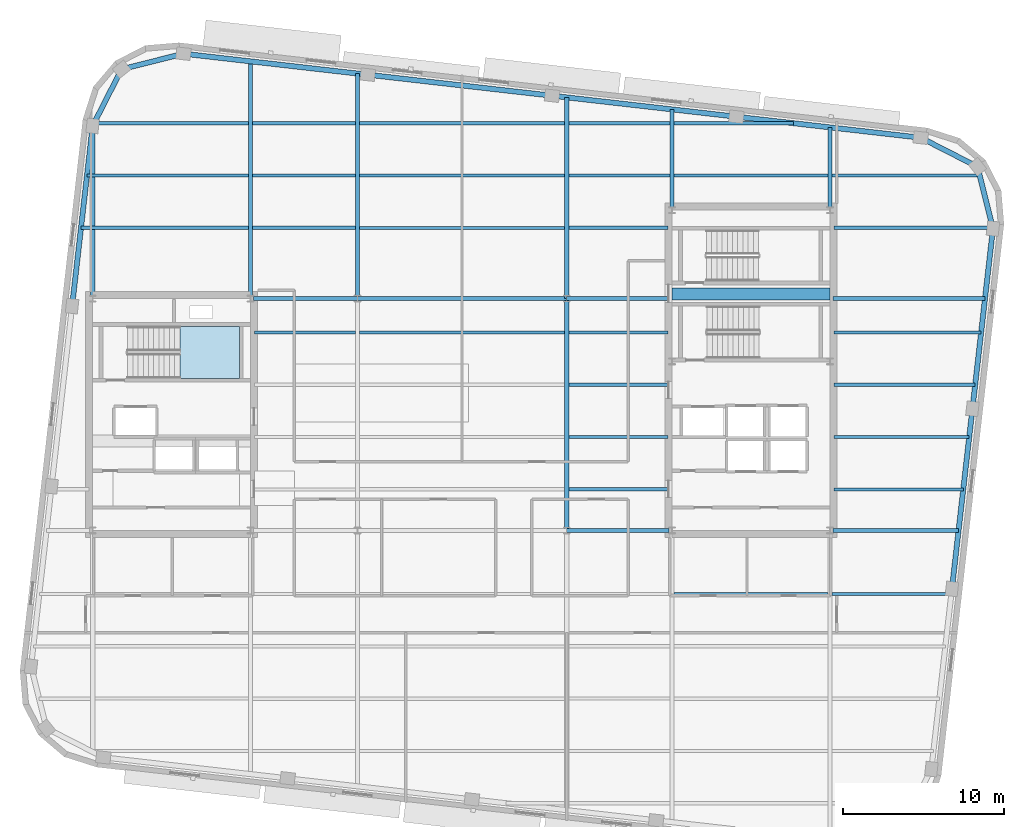
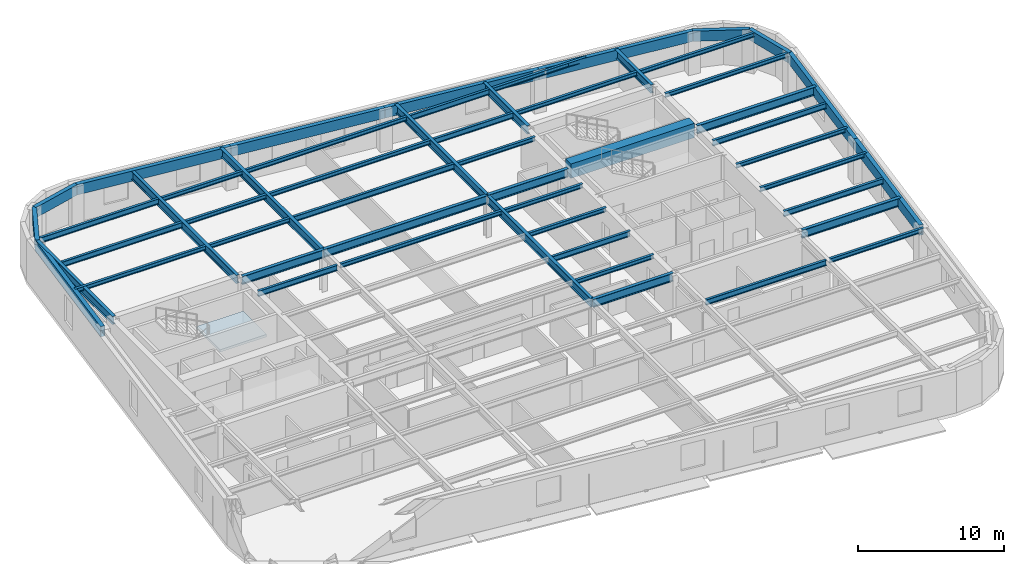
# One storey, part 4 of 13: 53 beams, 1 slab, 1 element without a shape of its own.
"""IFC4 building model written with IfcOpenShell, lengths in metres."""

from ifc_helpers import new_model, si_unit, direction, frame, origin, origin_2d, place, context, subcontext, project, spatial, polyline, rectangle, hollow_rectangle, i_section, outline, extrude, material, layer, layer_set, material_profile, profile_set, type_object, element, aggregate, save


model = new_model("IFC4")

# Units and contexts
model_context = context("Model", 3, precision=1e-05, world=origin(), true_north=direction((0.0, 1.0)))
body_context = subcontext(model_context, "Body", "Model", "MODEL_VIEW")
ifc_project = project(units=[si_unit("LENGTHUNIT", "METRE"), si_unit("AREAUNIT", "SQUARE_METRE"), si_unit("VOLUMEUNIT", "CUBIC_METRE"), si_unit("PLANEANGLEUNIT", "RADIAN"), si_unit("MASSUNIT", "GRAM", prefix="KILO")], contexts=[model_context])

# Site, building, storey
site_placement = place(None, origin())
site = spatial("IfcSite", under=ifc_project, at=site_placement, CompositionType="ELEMENT")
building_placement = place(site_placement, origin())
building = spatial("IfcBuilding", under=site, at=building_placement, Name="Kolvaren Arena Tower", CompositionType="ELEMENT")
storey_placement = place(building_placement, frame((0.0, 0.0, 262.199951171875)))
storey = spatial("IfcBuildingStorey", under=building, at=storey_placement, Name="L64", CompositionType="ELEMENT", Elevation=262.199951171875)

# Beams
ifc_material_1 = material(Name="Steel CSA G40.21 350W", Category="steel")
ifc_material_profile_1 = material_profile(ifc_material_1, i_section(OverallWidth=0.193115234375, OverallDepth=0.462890625, WebThickness=0.0107421875, FlangeThickness=0.0205078125, FilletRadius=0.012939453125, at=origin_2d()), Name="W460x113")
ifc_profile_set_1 = profile_set([ifc_material_profile_1], Name="Steel CSA G40.21 350W")
beam_type_1 = type_object("IfcBeamType", Name="BEAM-F2", PredefinedType="BEAM", material=ifc_profile_set_1)
beam_1_placement = place(storey_placement, frame((50.677490234375, 15.5, 3.24853515625), z_axis=(1.0, 0.0, 0.0), x_axis=(0.0, 1.0, 0.0)))
element("IfcBeam", 1, at=beam_1_placement, inside=storey, type_object=beam_type_1, Name="Composite Floor Beam (L64)", PredefinedType="BEAM", context=body_context, shape_type="SweptSolid", body=[
    extrude(i_section(OverallWidth=0.193115234375, OverallDepth=0.462890625, WebThickness=0.0107421875, FlangeThickness=0.0205078125, FilletRadius=0.012939453125, at=origin_2d()), origin(), (0.0, 0.0, 1.0), 9.544921875),
])
beam_2_placement = place(storey_placement, frame((60.594970703125, 22.0, 3.24853515625), z_axis=(1.0, 0.0, 0.0), x_axis=(0.0, 1.0, 0.0)))
element("IfcBeam", 2, at=beam_2_placement, inside=storey, type_object=beam_type_1, Name="Composite Floor Beam (L64)", PredefinedType="BEAM", context=body_context, shape_type="SweptSolid", body=[
    extrude(i_section(OverallWidth=0.193115234375, OverallDepth=0.462890625, WebThickness=0.0107421875, FlangeThickness=0.0205078125, FilletRadius=0.012939453125, at=origin_2d()), origin(), (0.0, 0.0, 1.0), 8.041015625),
])
beam_3_placement = place(storey_placement, frame((44.12744140625, 25.25, 3.24853515625), z_axis=(1.0, 0.0, 0.0), x_axis=(0.0, 1.0, 0.0)))
element("IfcBeam", 3, at=beam_3_placement, inside=storey, type_object=beam_type_1, Name="Composite Floor Beam (L64)", PredefinedType="BEAM", context=body_context, shape_type="SweptSolid", body=[
    extrude(i_section(OverallWidth=0.193115234375, OverallDepth=0.462890625, WebThickness=0.0107421875, FlangeThickness=0.0205078125, FilletRadius=0.012939453125, at=origin_2d()), origin(), (0.0, 0.0, 1.0), 6.177490234375),
])
beam_4_placement = place(storey_placement, frame((24.594970703125, 31.75, 3.24853515625), z_axis=(1.0, 0.0, 0.0), x_axis=(0.0, 1.0, 0.0)))
element("IfcBeam", 4, at=beam_4_placement, inside=storey, type_object=beam_type_1, Name="Composite Floor Beam (L64)", PredefinedType="BEAM", context=body_context, shape_type="SweptSolid", body=[
    extrude(i_section(OverallWidth=0.193115234375, OverallDepth=0.462890625, WebThickness=0.0107421875, FlangeThickness=0.0205078125, FilletRadius=0.012939453125, at=origin_2d()), origin(), (0.0, 0.0, 1.0), 6.277587890625),
])
beam_5_placement = place(storey_placement, frame((60.594970703125, 31.75, 3.24853515625), z_axis=(1.0, 0.0, 0.0), x_axis=(0.0, 1.0, 0.0)))
element("IfcBeam", 5, at=beam_5_placement, inside=storey, type_object=beam_type_1, Name="Composite Floor Beam (L64)", PredefinedType="BEAM", context=body_context, shape_type="SweptSolid", body=[
    extrude(i_section(OverallWidth=0.193115234375, OverallDepth=0.462890625, WebThickness=0.0107421875, FlangeThickness=0.0205078125, FilletRadius=0.012939453125, at=origin_2d()), origin(), (0.0, 0.0, 1.0), 9.15185546875),
])
beam_6_placement = place(storey_placement, frame((31.12744140625, 38.25, 3.24853515625), z_axis=(1.0, 0.0, 0.0), x_axis=(0.0, 1.0, 0.0)))
element("IfcBeam", 6, at=beam_6_placement, inside=storey, type_object=beam_type_1, Name="Composite Floor Beam (L64)", PredefinedType="BEAM", context=body_context, shape_type="SweptSolid", body=[
    extrude(i_section(OverallWidth=0.193115234375, OverallDepth=0.462890625, WebThickness=0.0107421875, FlangeThickness=0.0205078125, FilletRadius=0.012939453125, at=origin_2d()), origin(), (0.0, 0.0, 1.0), 12.7451171875),
])
beam_7_placement = place(storey_placement, frame((14.193359375, 41.5, 3.24853515625), z_axis=(1.0, 0.0, 0.0), x_axis=(0.0, 1.0, 0.0)))
element("IfcBeam", 7, at=beam_7_placement, inside=storey, type_object=beam_type_1, Name="Composite Floor Beam (L64)", PredefinedType="BEAM", context=body_context, shape_type="SweptSolid", body=[
    extrude(i_section(OverallWidth=0.193115234375, OverallDepth=0.462890625, WebThickness=0.0107421875, FlangeThickness=0.0205078125, FilletRadius=0.012939453125, at=origin_2d()), origin(), (0.0, 0.0, 1.0), 10.029052734375),
])
beam_8_placement = place(storey_placement, frame((44.12744140625, 41.5, 3.24853515625), z_axis=(1.0, 0.0, 0.0), x_axis=(0.0, 1.0, 0.0)))
element("IfcBeam", 8, at=beam_8_placement, inside=storey, type_object=beam_type_1, Name="Composite Floor Beam (L64)", PredefinedType="BEAM", context=body_context, shape_type="SweptSolid", body=[
    extrude(i_section(OverallWidth=0.193115234375, OverallDepth=0.462890625, WebThickness=0.0107421875, FlangeThickness=0.0205078125, FilletRadius=0.012939453125, at=origin_2d()), origin(), (0.0, 0.0, 1.0), 6.295166015625),
])
beam_9_placement = place(storey_placement, frame((14.632080078125, 44.75, 3.24853515625), z_axis=(1.0, 0.0, 0.0), x_axis=(0.0, 1.0, 0.0)))
element("IfcBeam", 9, at=beam_9_placement, inside=storey, type_object=beam_type_1, Name="Composite Floor Beam (L64)", PredefinedType="BEAM", context=body_context, shape_type="SweptSolid", body=[
    extrude(i_section(OverallWidth=0.193115234375, OverallDepth=0.462890625, WebThickness=0.0107421875, FlangeThickness=0.0205078125, FilletRadius=0.012939453125, at=origin_2d()), origin(), (0.0, 0.0, 1.0), 9.59033203125),
])
beam_10_placement = place(storey_placement, frame((44.12744140625, 44.75, 3.24853515625), z_axis=(1.0, 0.0, 0.0), x_axis=(0.0, 1.0, 0.0)))
element("IfcBeam", 10, at=beam_10_placement, inside=storey, type_object=beam_type_1, Name="Composite Floor Beam (L64)", PredefinedType="BEAM", context=body_context, shape_type="SweptSolid", body=[
    extrude(i_section(OverallWidth=0.193115234375, OverallDepth=0.462890625, WebThickness=0.0107421875, FlangeThickness=0.0205078125, FilletRadius=0.012939453125, at=origin_2d()), origin(), (0.0, 0.0, 1.0), 6.295166015625),
])
ifc_material_2 = material(Name="Concrete 60 MPa", Category="concrete")
ifc_material_profile_2 = material_profile(ifc_material_2, rectangle(XDim=0.75, YDim=1.199951171875, at=origin_2d()), Name="RC-750x1200")
ifc_profile_set_2 = profile_set([ifc_material_profile_2], Name="Concrete 60 MPa")
beam_type_2 = type_object("IfcBeamType", Name="CB-CORE-2", PredefinedType="BEAM", material=ifc_profile_set_2)
beam_11_placement = place(storey_placement, frame((50.550048828125, 34.14990234375, 3.150146484375), z_axis=(1.0, 0.0, 0.0), x_axis=(0.0, 1.0, 0.0)))
element("IfcBeam", 11, at=beam_11_placement, inside=storey, type_object=beam_type_2, Name="East Core Coupling Beam (L64)", PredefinedType="BEAM", context=body_context, shape_type="SweptSolid", body=[
    extrude(rectangle(XDim=0.75, YDim=1.199951171875, at=origin_2d()), origin(), (0.0, 0.0, 1.0), 9.800048828125),
])
ifc_material_profile_3 = material_profile(ifc_material_1, i_section(OverallWidth=0.2548828125, OverallDepth=0.695068359375, WebThickness=0.01708984375, FlangeThickness=0.02978515625, FilletRadius=0.01611328125, at=origin_2d()), Name="W690x217")
ifc_profile_set_3 = profile_set([ifc_material_profile_3], Name="Steel CSA G40.21 350W")
beam_type_3 = type_object("IfcBeamType", Name="GIRD-T2", PredefinedType="BEAM", material=ifc_profile_set_3)
beam_12_placement = place(storey_placement, frame((44.0, 19.449951171875, 3.132568359375), z_axis=(1.0, 0.0, 0.0), x_axis=(0.0, 1.0, 0.0)))
element("IfcBeam", 12, at=beam_12_placement, inside=storey, type_object=beam_type_3, Name="Primary Floor Girder (L64)", PredefinedType="BEAM", context=body_context, shape_type="SweptSolid", body=[
    extrude(i_section(OverallWidth=0.2548828125, OverallDepth=0.695068359375, WebThickness=0.01708984375, FlangeThickness=0.02978515625, FilletRadius=0.01611328125, at=origin_2d()), origin(), (0.0, 0.0, 1.0), 6.344970703125),
])
beam_13_placement = place(storey_placement, frame((60.554931640625, 19.449951171875, 3.132568359375), z_axis=(1.0, 0.0, 0.0), x_axis=(0.0, 1.0, 0.0)))
element("IfcBeam", 13, at=beam_13_placement, inside=storey, type_object=beam_type_3, Name="Primary Floor Girder (L64)", PredefinedType="BEAM", context=body_context, shape_type="SweptSolid", body=[
    extrude(i_section(OverallWidth=0.2548828125, OverallDepth=0.695068359375, WebThickness=0.01708984375, FlangeThickness=0.02978515625, FilletRadius=0.01611328125, at=origin_2d()), origin(), (0.0, 0.0, 1.0), 7.790283203125),
])
beam_14_placement = place(storey_placement, frame((24.554931640625, 33.85009765625, 3.132568359375), z_axis=(1.0, 0.0, 0.0), x_axis=(0.0, 1.0, 0.0)))
element("IfcBeam", 14, at=beam_14_placement, inside=storey, type_object=beam_type_3, Name="Primary Floor Girder (L64)", PredefinedType="BEAM", context=body_context, shape_type="SweptSolid", body=[
    extrude(i_section(OverallWidth=0.2548828125, OverallDepth=0.695068359375, WebThickness=0.01708984375, FlangeThickness=0.02978515625, FilletRadius=0.01611328125, at=origin_2d()), origin(), (0.0, 0.0, 1.0), 6.445068359375),
])
beam_15_placement = place(storey_placement, frame((31.0, 33.85009765625, 3.132568359375), z_axis=(1.0, 0.0, 0.0), x_axis=(0.0, 1.0, 0.0)))
element("IfcBeam", 15, at=beam_15_placement, inside=storey, type_object=beam_type_3, Name="Primary Floor Girder (L64)", PredefinedType="BEAM", context=body_context, shape_type="SweptSolid", body=[
    extrude(i_section(OverallWidth=0.2548828125, OverallDepth=0.695068359375, WebThickness=0.01708984375, FlangeThickness=0.02978515625, FilletRadius=0.01611328125, at=origin_2d()), origin(), (0.0, 0.0, 1.0), 13.0),
])
beam_16_placement = place(storey_placement, frame((44.0, 33.85009765625, 3.132568359375), z_axis=(1.0, 0.0, 0.0), x_axis=(0.0, 1.0, 0.0)))
element("IfcBeam", 16, at=beam_16_placement, inside=storey, type_object=beam_type_3, Name="Primary Floor Girder (L64)", PredefinedType="BEAM", context=body_context, shape_type="SweptSolid", body=[
    extrude(i_section(OverallWidth=0.2548828125, OverallDepth=0.695068359375, WebThickness=0.01708984375, FlangeThickness=0.02978515625, FilletRadius=0.01611328125, at=origin_2d()), origin(), (0.0, 0.0, 1.0), 6.344970703125),
])
beam_17_placement = place(storey_placement, frame((60.554931640625, 33.85009765625, 3.132568359375), z_axis=(1.0, 0.0, 0.0), x_axis=(0.0, 1.0, 0.0)))
element("IfcBeam", 17, at=beam_17_placement, inside=storey, type_object=beam_type_3, Name="Primary Floor Girder (L64)", PredefinedType="BEAM", context=body_context, shape_type="SweptSolid", body=[
    extrude(i_section(OverallWidth=0.2548828125, OverallDepth=0.695068359375, WebThickness=0.01708984375, FlangeThickness=0.02978515625, FilletRadius=0.01611328125, at=origin_2d()), origin(), (0.0, 0.0, 1.0), 9.43115234375),
])
beam_18_placement = place(storey_placement, frame((14.550048828125, 34.054931640625, 3.132568359375), z_axis=(0.0, 1.0, 0.0), x_axis=(-1.0, 0.0, 0.0)))
element("IfcBeam", 18, at=beam_18_placement, inside=storey, type_object=beam_type_3, Name="Primary Floor Girder (L64)", PredefinedType="BEAM", context=body_context, shape_type="SweptSolid", body=[
    extrude(i_section(OverallWidth=0.2548828125, OverallDepth=0.695068359375, WebThickness=0.01708984375, FlangeThickness=0.02978515625, FilletRadius=0.01611328125, at=origin_2d()), origin(), (0.0, 0.0, 1.0), 10.53466796875),
])
beam_19_placement = place(storey_placement, frame((24.35009765625, 34.054931640625, 3.132568359375), z_axis=(0.0, 1.0, 0.0), x_axis=(-1.0, 0.0, 0.0)))
element("IfcBeam", 19, at=beam_19_placement, inside=storey, type_object=beam_type_3, Name="Primary Floor Girder (L64)", PredefinedType="BEAM", context=body_context, shape_type="SweptSolid", body=[
    extrude(i_section(OverallWidth=0.2548828125, OverallDepth=0.695068359375, WebThickness=0.01708984375, FlangeThickness=0.02978515625, FilletRadius=0.01611328125, at=origin_2d()), origin(), (0.0, 0.0, 1.0), 14.538818359375),
])
beam_20_placement = place(storey_placement, frame((31.0, 33.85009765625, 3.132568359375), z_axis=(0.0, 1.0, 0.0), x_axis=(-1.0, 0.0, 0.0)))
element("IfcBeam", 20, at=beam_20_placement, inside=storey, type_object=beam_type_3, Name="Primary Floor Girder (L64)", PredefinedType="BEAM", context=body_context, shape_type="SweptSolid", body=[
    extrude(i_section(OverallWidth=0.2548828125, OverallDepth=0.695068359375, WebThickness=0.01708984375, FlangeThickness=0.02978515625, FilletRadius=0.01611328125, at=origin_2d()), origin(), (0.0, 0.0, 1.0), 13.986083984375),
])
beam_21_placement = place(storey_placement, frame((44.0, 19.449951171875, 3.132568359375), z_axis=(0.0, 1.0, 0.0), x_axis=(-1.0, 0.0, 0.0)))
element("IfcBeam", 21, at=beam_21_placement, inside=storey, type_object=beam_type_3, Name="Primary Floor Girder (L64)", PredefinedType="BEAM", context=body_context, shape_type="SweptSolid", body=[
    extrude(i_section(OverallWidth=0.2548828125, OverallDepth=0.695068359375, WebThickness=0.01708984375, FlangeThickness=0.02978515625, FilletRadius=0.01611328125, at=origin_2d()), origin(), (0.0, 0.0, 1.0), 14.400146484375),
])
beam_22_placement = place(storey_placement, frame((44.0, 33.85009765625, 3.132568359375), z_axis=(0.0, 1.0, 0.0), x_axis=(-1.0, 0.0, 0.0)))
element("IfcBeam", 22, at=beam_22_placement, inside=storey, type_object=beam_type_3, Name="Primary Floor Girder (L64)", PredefinedType="BEAM", context=body_context, shape_type="SweptSolid", body=[
    extrude(i_section(OverallWidth=0.2548828125, OverallDepth=0.695068359375, WebThickness=0.01708984375, FlangeThickness=0.02978515625, FilletRadius=0.01611328125, at=origin_2d()), origin(), (0.0, 0.0, 1.0), 12.5048828125),
])
beam_23_placement = place(storey_placement, frame((50.550048828125, 39.554931640625, 3.132568359375), z_axis=(0.0, 1.0, 0.0), x_axis=(-1.0, 0.0, 0.0)))
element("IfcBeam", 23, at=beam_23_placement, inside=storey, type_object=beam_type_3, Name="Primary Floor Girder (L64)", PredefinedType="BEAM", context=body_context, shape_type="SweptSolid", body=[
    extrude(i_section(OverallWidth=0.2548828125, OverallDepth=0.695068359375, WebThickness=0.01708984375, FlangeThickness=0.02978515625, FilletRadius=0.01611328125, at=origin_2d()), origin(), (0.0, 0.0, 1.0), 6.0537109375),
])
beam_24_placement = place(storey_placement, frame((60.35009765625, 39.554931640625, 3.132568359375), z_axis=(0.0, 1.0, 0.0), x_axis=(-1.0, 0.0, 0.0)))
element("IfcBeam", 24, at=beam_24_placement, inside=storey, type_object=beam_type_3, Name="Primary Floor Girder (L64)", PredefinedType="BEAM", context=body_context, shape_type="SweptSolid", body=[
    extrude(i_section(OverallWidth=0.2548828125, OverallDepth=0.695068359375, WebThickness=0.01708984375, FlangeThickness=0.02978515625, FilletRadius=0.01611328125, at=origin_2d()), origin(), (0.0, 0.0, 1.0), 4.937255859375),
])
ifc_material_profile_4 = material_profile(ifc_material_1, i_section(OverallWidth=0.202880859375, OverallDepth=0.346923828125, WebThickness=0.0078125, FlangeThickness=0.013427734375, FilletRadius=0.010986328125, at=origin_2d()), Name="W360x64")
ifc_profile_set_4 = profile_set([ifc_material_profile_4], Name="Steel CSA G40.21 350W")
beam_type_4 = type_object("IfcBeamType", Name="JOIST-01", PredefinedType="JOIST", material=ifc_profile_set_4)
beam_25_placement = place(storey_placement, frame((60.4775390625, 15.5, 3.306640625), z_axis=(1.0, 0.0, 0.0), x_axis=(0.0, 1.0, 0.0)))
element("IfcBeam", 25, at=beam_25_placement, inside=storey, type_object=beam_type_4, Name="Composite Floor Joist (L64)", PredefinedType="JOIST", context=body_context, shape_type="SweptSolid", body=[
    extrude(i_section(OverallWidth=0.202880859375, OverallDepth=0.346923828125, WebThickness=0.0078125, FlangeThickness=0.013427734375, FilletRadius=0.010986328125, at=origin_2d()), origin(), (0.0, 0.0, 1.0), 7.417724609375),
])
beam_26_placement = place(storey_placement, frame((44.12744140625, 22.0, 3.306640625), z_axis=(1.0, 0.0, 0.0), x_axis=(0.0, 1.0, 0.0)))
element("IfcBeam", 26, at=beam_26_placement, inside=storey, type_object=beam_type_4, Name="Composite Floor Joist (L64)", PredefinedType="JOIST", context=body_context, shape_type="SweptSolid", body=[
    extrude(i_section(OverallWidth=0.202880859375, OverallDepth=0.346923828125, WebThickness=0.0078125, FlangeThickness=0.013427734375, FilletRadius=0.010986328125, at=origin_2d()), origin(), (0.0, 0.0, 1.0), 6.177490234375),
])
beam_27_placement = place(storey_placement, frame((60.594970703125, 25.25, 3.306640625), z_axis=(1.0, 0.0, 0.0), x_axis=(0.0, 1.0, 0.0)))
element("IfcBeam", 27, at=beam_27_placement, inside=storey, type_object=beam_type_4, Name="Composite Floor Joist (L64)", PredefinedType="JOIST", context=body_context, shape_type="SweptSolid", body=[
    extrude(i_section(OverallWidth=0.202880859375, OverallDepth=0.346923828125, WebThickness=0.0078125, FlangeThickness=0.013427734375, FilletRadius=0.010986328125, at=origin_2d()), origin(), (0.0, 0.0, 1.0), 8.4111328125),
])
beam_28_placement = place(storey_placement, frame((44.12744140625, 28.5, 3.306640625), z_axis=(1.0, 0.0, 0.0), x_axis=(0.0, 1.0, 0.0)))
element("IfcBeam", 28, at=beam_28_placement, inside=storey, type_object=beam_type_4, Name="Composite Floor Joist (L64)", PredefinedType="JOIST", context=body_context, shape_type="SweptSolid", body=[
    extrude(i_section(OverallWidth=0.202880859375, OverallDepth=0.346923828125, WebThickness=0.0078125, FlangeThickness=0.013427734375, FilletRadius=0.010986328125, at=origin_2d()), origin(), (0.0, 0.0, 1.0), 6.177490234375),
])
beam_29_placement = place(storey_placement, frame((60.594970703125, 28.5, 3.306640625), z_axis=(1.0, 0.0, 0.0), x_axis=(0.0, 1.0, 0.0)))
element("IfcBeam", 29, at=beam_29_placement, inside=storey, type_object=beam_type_4, Name="Composite Floor Joist (L64)", PredefinedType="JOIST", context=body_context, shape_type="SweptSolid", body=[
    extrude(i_section(OverallWidth=0.202880859375, OverallDepth=0.346923828125, WebThickness=0.0078125, FlangeThickness=0.013427734375, FilletRadius=0.010986328125, at=origin_2d()), origin(), (0.0, 0.0, 1.0), 8.781494140625),
])
beam_30_placement = place(storey_placement, frame((31.12744140625, 31.75, 3.306640625), z_axis=(1.0, 0.0, 0.0), x_axis=(0.0, 1.0, 0.0)))
element("IfcBeam", 30, at=beam_30_placement, inside=storey, type_object=beam_type_4, Name="Composite Floor Joist (L64)", PredefinedType="JOIST", context=body_context, shape_type="SweptSolid", body=[
    extrude(i_section(OverallWidth=0.202880859375, OverallDepth=0.346923828125, WebThickness=0.0078125, FlangeThickness=0.013427734375, FilletRadius=0.010986328125, at=origin_2d()), origin(), (0.0, 0.0, 1.0), 12.7451171875),
])
beam_31_placement = place(storey_placement, frame((44.12744140625, 31.75, 3.306640625), z_axis=(1.0, 0.0, 0.0), x_axis=(0.0, 1.0, 0.0)))
element("IfcBeam", 31, at=beam_31_placement, inside=storey, type_object=beam_type_4, Name="Composite Floor Joist (L64)", PredefinedType="JOIST", context=body_context, shape_type="SweptSolid", body=[
    extrude(i_section(OverallWidth=0.202880859375, OverallDepth=0.346923828125, WebThickness=0.0078125, FlangeThickness=0.013427734375, FilletRadius=0.010986328125, at=origin_2d()), origin(), (0.0, 0.0, 1.0), 6.177490234375),
])
beam_32_placement = place(storey_placement, frame((13.822998046875, 38.25, 3.306640625), z_axis=(1.0, 0.0, 0.0), x_axis=(0.0, 1.0, 0.0)))
element("IfcBeam", 32, at=beam_32_placement, inside=storey, type_object=beam_type_4, Name="Composite Floor Joist (L64)", PredefinedType="JOIST", context=body_context, shape_type="SweptSolid", body=[
    extrude(i_section(OverallWidth=0.202880859375, OverallDepth=0.346923828125, WebThickness=0.0078125, FlangeThickness=0.013427734375, FilletRadius=0.010986328125, at=origin_2d()), origin(), (0.0, 0.0, 1.0), 10.3994140625),
])
beam_33_placement = place(storey_placement, frame((24.4775390625, 38.25, 3.306640625), z_axis=(1.0, 0.0, 0.0), x_axis=(0.0, 1.0, 0.0)))
element("IfcBeam", 33, at=beam_33_placement, inside=storey, type_object=beam_type_4, Name="Composite Floor Joist (L64)", PredefinedType="JOIST", context=body_context, shape_type="SweptSolid", body=[
    extrude(i_section(OverallWidth=0.202880859375, OverallDepth=0.346923828125, WebThickness=0.0078125, FlangeThickness=0.013427734375, FilletRadius=0.010986328125, at=origin_2d()), origin(), (0.0, 0.0, 1.0), 6.39501953125),
])
beam_34_placement = place(storey_placement, frame((44.12744140625, 38.25, 3.306640625), z_axis=(1.0, 0.0, 0.0), x_axis=(0.0, 1.0, 0.0)))
element("IfcBeam", 34, at=beam_34_placement, inside=storey, type_object=beam_type_4, Name="Composite Floor Joist (L64)", PredefinedType="JOIST", context=body_context, shape_type="SweptSolid", body=[
    extrude(i_section(OverallWidth=0.202880859375, OverallDepth=0.346923828125, WebThickness=0.0078125, FlangeThickness=0.013427734375, FilletRadius=0.010986328125, at=origin_2d()), origin(), (0.0, 0.0, 1.0), 6.177490234375),
])
beam_35_placement = place(storey_placement, frame((60.594970703125, 38.25, 3.306640625), z_axis=(1.0, 0.0, 0.0), x_axis=(0.0, 1.0, 0.0)))
element("IfcBeam", 35, at=beam_35_placement, inside=storey, type_object=beam_type_4, Name="Composite Floor Joist (L64)", PredefinedType="JOIST", context=body_context, shape_type="SweptSolid", body=[
    extrude(i_section(OverallWidth=0.202880859375, OverallDepth=0.346923828125, WebThickness=0.0078125, FlangeThickness=0.013427734375, FilletRadius=0.010986328125, at=origin_2d()), origin(), (0.0, 0.0, 1.0), 9.8759765625),
])
beam_36_placement = place(storey_placement, frame((24.4775390625, 41.5, 3.306640625), z_axis=(1.0, 0.0, 0.0), x_axis=(0.0, 1.0, 0.0)))
element("IfcBeam", 36, at=beam_36_placement, inside=storey, type_object=beam_type_4, Name="Composite Floor Joist (L64)", PredefinedType="JOIST", context=body_context, shape_type="SweptSolid", body=[
    extrude(i_section(OverallWidth=0.202880859375, OverallDepth=0.346923828125, WebThickness=0.0078125, FlangeThickness=0.013427734375, FilletRadius=0.010986328125, at=origin_2d()), origin(), (0.0, 0.0, 1.0), 6.39501953125),
])
beam_37_placement = place(storey_placement, frame((31.12744140625, 41.5, 3.306640625), z_axis=(1.0, 0.0, 0.0), x_axis=(0.0, 1.0, 0.0)))
element("IfcBeam", 37, at=beam_37_placement, inside=storey, type_object=beam_type_4, Name="Composite Floor Joist (L64)", PredefinedType="JOIST", context=body_context, shape_type="SweptSolid", body=[
    extrude(i_section(OverallWidth=0.202880859375, OverallDepth=0.346923828125, WebThickness=0.0078125, FlangeThickness=0.013427734375, FilletRadius=0.010986328125, at=origin_2d()), origin(), (0.0, 0.0, 1.0), 12.7451171875),
])
beam_38_placement = place(storey_placement, frame((50.677490234375, 41.5, 3.306640625), z_axis=(1.0, 0.0, 0.0), x_axis=(0.0, 1.0, 0.0)))
element("IfcBeam", 38, at=beam_38_placement, inside=storey, type_object=beam_type_4, Name="Composite Floor Joist (L64)", PredefinedType="JOIST", context=body_context, shape_type="SweptSolid", body=[
    extrude(i_section(OverallWidth=0.202880859375, OverallDepth=0.346923828125, WebThickness=0.0078125, FlangeThickness=0.013427734375, FilletRadius=0.010986328125, at=origin_2d()), origin(), (0.0, 0.0, 1.0), 9.544921875),
])
beam_39_placement = place(storey_placement, frame((60.4775390625, 41.5, 3.306640625), z_axis=(1.0, 0.0, 0.0), x_axis=(0.0, 1.0, 0.0)))
element("IfcBeam", 39, at=beam_39_placement, inside=storey, type_object=beam_type_4, Name="Composite Floor Joist (L64)", PredefinedType="JOIST", context=body_context, shape_type="SweptSolid", body=[
    extrude(i_section(OverallWidth=0.202880859375, OverallDepth=0.346923828125, WebThickness=0.0078125, FlangeThickness=0.013427734375, FilletRadius=0.010986328125, at=origin_2d()), origin(), (0.0, 0.0, 1.0), 9.17919921875),
])
beam_40_placement = place(storey_placement, frame((24.4775390625, 44.75, 3.306640625), z_axis=(1.0, 0.0, 0.0), x_axis=(0.0, 1.0, 0.0)))
element("IfcBeam", 40, at=beam_40_placement, inside=storey, type_object=beam_type_4, Name="Composite Floor Joist (L64)", PredefinedType="JOIST", context=body_context, shape_type="SweptSolid", body=[
    extrude(i_section(OverallWidth=0.202880859375, OverallDepth=0.346923828125, WebThickness=0.0078125, FlangeThickness=0.013427734375, FilletRadius=0.010986328125, at=origin_2d()), origin(), (0.0, 0.0, 1.0), 6.39501953125),
])
beam_41_placement = place(storey_placement, frame((31.12744140625, 44.75, 3.306640625), z_axis=(1.0, 0.0, 0.0), x_axis=(0.0, 1.0, 0.0)))
element("IfcBeam", 41, at=beam_41_placement, inside=storey, type_object=beam_type_4, Name="Composite Floor Joist (L64)", PredefinedType="JOIST", context=body_context, shape_type="SweptSolid", body=[
    extrude(i_section(OverallWidth=0.202880859375, OverallDepth=0.346923828125, WebThickness=0.0078125, FlangeThickness=0.013427734375, FilletRadius=0.010986328125, at=origin_2d()), origin(), (0.0, 0.0, 1.0), 12.7451171875),
])
beam_42_placement = place(storey_placement, frame((50.677490234375, 44.75, 3.306640625), z_axis=(1.0, 0.0, 0.0), x_axis=(0.0, 1.0, 0.0)))
element("IfcBeam", 42, at=beam_42_placement, inside=storey, type_object=beam_type_4, Name="Composite Floor Joist (L64)", PredefinedType="JOIST", context=body_context, shape_type="SweptSolid", body=[
    extrude(i_section(OverallWidth=0.202880859375, OverallDepth=0.346923828125, WebThickness=0.0078125, FlangeThickness=0.013427734375, FilletRadius=0.010986328125, at=origin_2d()), origin(), (0.0, 0.0, 1.0), 7.40869140625),
])
ifc_material_3 = material(Name="Steel CSA G40.21 350WT", Category="steel")
ifc_material_profile_5 = material_profile(ifc_material_3, hollow_rectangle(XDim=0.320068359375, YDim=0.860107421875, WallThickness=0.01806640625, at=origin_2d()), Name="HSS 860x320x18")
ifc_profile_set_5 = profile_set([ifc_material_profile_5], Name="Steel CSA G40.21 350WT")
beam_type_5 = type_object("IfcBeamType", Name="SPAND-02", PredefinedType="SPANDREL", material=ifc_profile_set_5)
beam_43_placement = place(storey_placement, frame((67.931396484375, 15.816162109375, 3.050048828125), z_axis=(0.113199459318, 0.993572283435, 0.0), x_axis=(-0.993572283435, 0.113199459318, 0.0)))
element("IfcBeam", 43, at=beam_43_placement, inside=storey, type_object=beam_type_5, Name="Perimeter Spandrel Beam (L64)", PredefinedType="SPANDREL", context=body_context, shape_type="SweptSolid", body=[
    extrude(hollow_rectangle(XDim=0.320068359375, YDim=0.860107421875, WallThickness=0.01806640625, at=origin_2d()), origin(), (0.0, 0.0, 1.0), 11.266845703125),
])
beam_44_placement = place(storey_placement, frame((69.206787109375, 27.010498046875, 3.050048828125), z_axis=(0.113201896536, 0.993572005755, 0.0), x_axis=(-0.993572005755, 0.113201896536, 0.0)))
element("IfcBeam", 44, at=beam_44_placement, inside=storey, type_object=beam_type_5, Name="Perimeter Spandrel Beam (L64)", PredefinedType="SPANDREL", context=body_context, shape_type="SweptSolid", body=[
    extrude(hollow_rectangle(XDim=0.320068359375, YDim=0.860107421875, WallThickness=0.01806640625, at=origin_2d()), origin(), (0.0, 0.0, 1.0), 11.2666015625),
])
for number, where, z_axis, x_axis, name in (
    (45, (70.482177734375, 38.20458984375, 3.050048828125), (-0.242956154878, 0.970037270834, 0.0), (-0.970037270834, -0.242956154878, 0.0), "Perimeter Spandrel Beam (L64)"),
    (46, (69.519775390625, 42.047119140625, 3.050048828125), (-0.890535676656, 0.454913407807, 0.0), (-0.454913407807, -0.890535676656, 0.0), "Perimeter Spandrel Beam (L64)"),
):
    element("IfcBeam", number, at=place(storey_placement, frame(where, z_axis=z_axis, x_axis=x_axis)), inside=storey, type_object=beam_type_5, Name=name, PredefinedType="SPANDREL", context=body_context, shape_type="SweptSolid", body=[
        extrude(hollow_rectangle(XDim=0.320068359375, YDim=0.860107421875, WallThickness=0.01806640625, at=origin_2d()), origin(), (0.0, 0.0, 1.0), 3.961181640625),
    ])
beam_45_placement = place(storey_placement, frame((65.9921875, 43.84912109375, 3.050048828125), z_axis=(-0.993571397957, 0.113207231049, 0.0), x_axis=(-0.113207231049, -0.993571397957, 0.0)))
element("IfcBeam", 47, at=beam_45_placement, inside=storey, type_object=beam_type_5, Name="Perimeter Spandrel Beam (L64)", PredefinedType="SPANDREL", context=body_context, shape_type="SweptSolid", body=[
    extrude(hollow_rectangle(XDim=0.320068359375, YDim=0.860107421875, WallThickness=0.01806640625, at=origin_2d()), origin(), (0.0, 0.0, 1.0), 11.524658203125),
])
for number, where, z_axis, x_axis, name in (
    (48, (54.54150390625, 45.15380859375, 3.050048828125), (-0.99357166944, 0.113204848336, 0.0), (-0.113204848336, -0.99357166944, 0.0), "Perimeter Spandrel Beam (L64)"),
    (49, (43.090576171875, 46.45849609375, 3.050048828125), (-0.99357166944, 0.113204848336, 0.0), (-0.113204848336, -0.99357166944, 0.0), "Perimeter Spandrel Beam (L64)"),
    (50, (31.6396484375, 47.76318359375, 3.050048828125), (-0.99357166944, 0.113204848336, 0.0), (-0.113204848336, -0.99357166944, 0.0), "Perimeter Spandrel Beam (L64)"),
):
    element("IfcBeam", number, at=place(storey_placement, frame(where, z_axis=z_axis, x_axis=x_axis)), inside=storey, type_object=beam_type_5, Name=name, PredefinedType="SPANDREL", context=body_context, shape_type="SweptSolid", body=[
        extrude(hollow_rectangle(XDim=0.320068359375, YDim=0.860107421875, WallThickness=0.01806640625, at=origin_2d()), origin(), (0.0, 0.0, 1.0), 11.52490234375),
    ])
for number, where, z_axis, x_axis, name in (
    (51, (20.188720703125, 49.06787109375, 3.050048828125), (-0.970037270834, -0.242956154878, 0.0), (0.242956154878, -0.970037270834, 0.0), "Perimeter Spandrel Beam (L64)"),
    (52, (16.34619140625, 48.10546875, 3.050048828125), (-0.454913407807, -0.890535676656, 0.0), (0.890535676656, -0.454913407807, 0.0), "Perimeter Spandrel Beam (L64)"),
):
    element("IfcBeam", number, at=place(storey_placement, frame(where, z_axis=z_axis, x_axis=x_axis)), inside=storey, type_object=beam_type_5, Name=name, PredefinedType="SPANDREL", context=body_context, shape_type="SweptSolid", body=[
        extrude(hollow_rectangle(XDim=0.320068359375, YDim=0.860107421875, WallThickness=0.01806640625, at=origin_2d()), origin(), (0.0, 0.0, 1.0), 3.961181640625),
    ])
beam_46_placement = place(storey_placement, frame((14.544189453125, 44.577880859375, 3.050048828125), z_axis=(-0.113201896536, -0.993572005755, 0.0), x_axis=(0.993572005755, -0.113201896536, 0.0)))
element("IfcBeam", 53, at=beam_46_placement, inside=storey, type_object=beam_type_5, Name="Perimeter Spandrel Beam (L64)", PredefinedType="SPANDREL", context=body_context, shape_type="SweptSolid", body=[
    extrude(hollow_rectangle(XDim=0.320068359375, YDim=0.860107421875, WallThickness=0.01806640625, at=origin_2d()), origin(), (0.0, 0.0, 1.0), 11.2666015625),
])

# Stair, slab
ifc_material_4 = material(Name="Concrete 45 MPa", Category="concrete")
stair_type = type_object("IfcStairType", Name="STAIR-CORE-165", PredefinedType="HALF_TURN_STAIR", material=ifc_material_4)
stair_placement = place(storey_placement, origin())
stair = element("IfcStair", 54, at=stair_placement, inside=storey, type_object=stair_type, Name="L64 ST-W1", PredefinedType="HALF_TURN_STAIR")
ifc_layer = layer(ifc_material_4, 0.199951171875)
ifc_layer_set = layer_set([ifc_layer], Name="Concrete 45 MPa")
slab_type = type_object("IfcSlabType", Name="SLAB-LAND", PredefinedType="LANDING", material=ifc_layer_set)
slab_placement = place(storey_placement, frame((0.0, 0.0, 1.675048828125)))
slab = element("IfcSlab", 55, at=slab_placement, type_object=slab_type, Name="ST-W1 landing 1", PredefinedType="LANDING", context=body_context, shape_type="SweptSolid", body=[
    extrude(outline(polyline([(19.9599609375, 28.89990234375), (23.659912109375, 28.89990234375), (23.659912109375, 32.1298828125), (19.9599609375, 32.1298828125), (19.9599609375, 28.89990234375)])), origin(), (0.0, 0.0, 1.0), 0.199951171875),
])
aggregate(stair, [slab])

save(model, "model.ifc")
